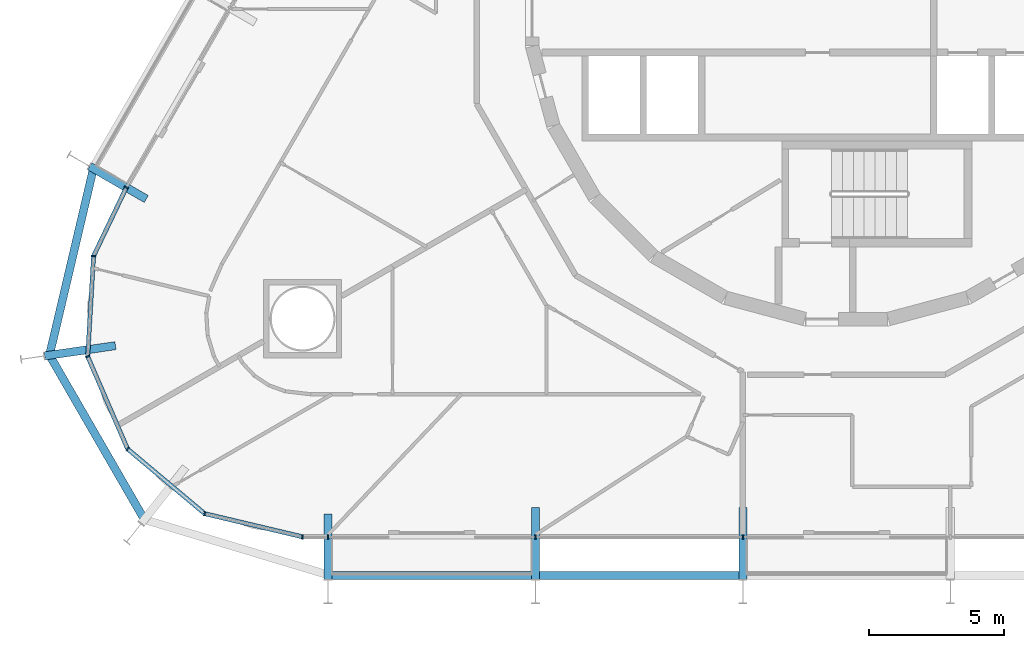
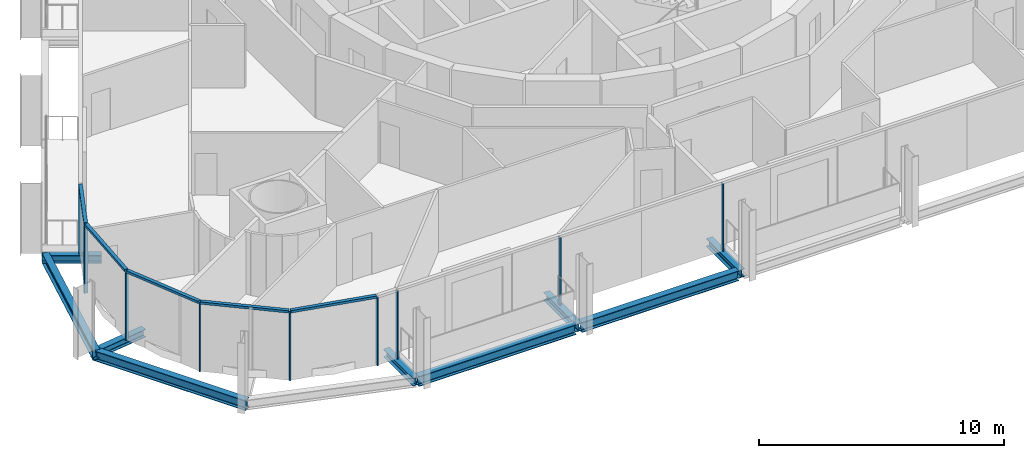
# One storey, part 3 of 21: 14 members, 9 beams, 2 elements without a shape of their own.
"""IFC4 building model written with IfcOpenShell, lengths in metres."""

from ifc_helpers import new_model, si_unit, direction, frame, origin, origin_2d, place, context, subcontext, project, spatial, rectangle, i_section, extrude, material, layer, layer_set, material_profile, profile_set, type_object, element, aggregate, save


model = new_model("IFC4")

# Units and contexts
model_context = context("Model", 3, precision=1e-05, world=origin(), true_north=direction((0.0, 1.0)))
body_context = subcontext(model_context, "Body", "Model", "MODEL_VIEW")
ifc_project = project(units=[si_unit("LENGTHUNIT", "METRE"), si_unit("AREAUNIT", "SQUARE_METRE"), si_unit("VOLUMEUNIT", "CUBIC_METRE"), si_unit("PLANEANGLEUNIT", "RADIAN"), si_unit("MASSUNIT", "GRAM", prefix="KILO")], contexts=[model_context])

# Site, building, storey
site_placement = place(None, origin())
site = spatial("IfcSite", under=ifc_project, at=site_placement, CompositionType="ELEMENT")
building_placement = place(site_placement, origin())
building = spatial("IfcBuilding", under=site, at=building_placement, Name="Spindle Arch Residences", CompositionType="ELEMENT")
storey_placement = place(building_placement, frame((0.0, 0.0, 48.89990234375)))
storey = spatial("IfcBuildingStorey", under=building, at=storey_placement, Name="L10", CompositionType="ELEMENT", Elevation=48.89990234375)

# Curtain wall, members
ifc_material_1 = material(Name="Aluminium bronze unitised frame with tinted glass", Category="aluminium")
ifc_layer_1 = layer(ifc_material_1, 0.159912109375)
ifc_layer_set_1 = layer_set([ifc_layer_1], Name="CW-D corner wall on the fillet arcs")
curtain_wall_type_1 = type_object("IfcCurtainWallType", Name="CW-D corner wall on the fillet arcs", PredefinedType="NOTDEFINED", material=ifc_layer_set_1)
curtain_wall_1_placement = place(storey_placement, origin())
curtain_wall_1 = element("IfcCurtainWall", 1, at=curtain_wall_1_placement, inside=storey, type_object=curtain_wall_type_1, Name="CW-D L10 run 5", PredefinedType="NOTDEFINED")
ifc_material_2 = material(Name="Aluminium bronze anodised mullion", Category="aluminium")
ifc_material_profile_1 = material_profile(ifc_material_2, rectangle(XDim=0.159912109375, YDim=0.06005859375, at=origin_2d()), Name="MU 60x160")
ifc_profile_set_1 = profile_set([ifc_material_profile_1], Name="Aluminium bronze anodised mullion")
member_type_1 = type_object("IfcMemberType", Name="Bronze mullion 60x160", PredefinedType="MULLION", material=ifc_profile_set_1)
member_1_placement = place(storey_placement, frame((-26.66943359375, -6.77294921875, -0.3798828125), z_axis=(0.0, 0.0, 1.0), x_axis=(0.902111889092, -0.431502189519, 0.0)))
member_1 = element("IfcMember", 2, at=member_1_placement, type_object=member_type_1, Name="CW-D mullion 00", PredefinedType="MULLION", context=body_context, shape_type="SweptSolid", body=[
    extrude(rectangle(XDim=0.159912109375, YDim=0.06005859375, at=origin_2d()), origin(), (0.0, 0.0, 1.0), 3.3798828125),
])
member_2_placement = place(storey_placement, frame((-27.884033203125, -9.3125, -0.3798828125), z_axis=(0.0, 0.0, 1.0), x_axis=(0.99830815821, -0.058144829968, 0.0)))
member_2 = element("IfcMember", 3, at=member_2_placement, type_object=member_type_1, Name="CW-D mullion 01", PredefinedType="MULLION", context=body_context, shape_type="SweptSolid", body=[
    extrude(rectangle(XDim=0.159912109375, YDim=0.06005859375, at=origin_2d()), origin(), (0.0, 0.0, 1.0), 3.3798828125),
])
member_3_placement = place(storey_placement, frame((-28.100830078125, -13.032958984375, -0.3798828125), z_axis=(0.0, 0.0, 1.0), x_axis=(0.918216106599, 0.396079766691, 0.0)))
member_3 = element("IfcMember", 4, at=member_3_placement, type_object=member_type_1, Name="CW-D mullion 02", PredefinedType="MULLION", context=body_context, shape_type="SweptSolid", body=[
    extrude(rectangle(XDim=0.159912109375, YDim=0.06005859375, at=origin_2d()), origin(), (0.0, 0.0, 1.0), 3.3798828125),
])
member_4_placement = place(storey_placement, frame((-26.624755859375, -16.454833984375, -0.3798828125), z_axis=(0.0, 0.0, 1.0), x_axis=(0.64278760716, 0.766044445239, 0.0)))
member_4 = element("IfcMember", 5, at=member_4_placement, type_object=member_type_1, Name="CW-D mullion 03", PredefinedType="MULLION", context=body_context, shape_type="SweptSolid", body=[
    extrude(rectangle(XDim=0.159912109375, YDim=0.06005859375, at=origin_2d()), origin(), (0.0, 0.0, 1.0), 3.3798828125),
])
member_5_placement = place(storey_placement, frame((-23.769775390625, -18.850341796875, -0.3798828125), z_axis=(0.0, 0.0, 1.0), x_axis=(0.230615868852, 0.973044871028, 0.0)))
member_5 = element("IfcMember", 6, at=member_5_placement, type_object=member_type_1, Name="CW-D mullion 04", PredefinedType="MULLION", context=body_context, shape_type="SweptSolid", body=[
    extrude(rectangle(XDim=0.159912109375, YDim=0.06005859375, at=origin_2d()), origin(), (0.0, 0.0, 1.0), 3.3798828125),
])
member_6_placement = place(storey_placement, frame((-20.1435546875, -19.7099609375, -0.3798828125), z_axis=(0.0, 0.0, 1.0), x_axis=(0.0, 1.0, 0.0)))
member_6 = element("IfcMember", 7, at=member_6_placement, type_object=member_type_1, Name="CW-D mullion 05", PredefinedType="MULLION", context=body_context, shape_type="SweptSolid", body=[
    extrude(rectangle(XDim=0.159912109375, YDim=0.06005859375, at=origin_2d()), origin(), (0.0, 0.0, 1.0), 3.3798828125),
])

ifc_material_3 = material(Name="Aluminium bronze unitised frame with tinted glass", Category="aluminium")
ifc_layer_2 = layer(ifc_material_3, 0.159912109375)
ifc_layer_set_2 = layer_set([ifc_layer_2], Name="CW-C typical residential unitised wall")
curtain_wall_type_2 = type_object("IfcCurtainWallType", Name="CW-C typical residential unitised wall", PredefinedType="NOTDEFINED", material=ifc_layer_set_2)
curtain_wall_2_placement = place(storey_placement, origin())
curtain_wall_2 = element("IfcCurtainWall", 8, at=curtain_wall_2_placement, inside=storey, type_object=curtain_wall_type_2, Name="CW-C L10 run 6", PredefinedType="NOTDEFINED")
member_7_placement = place(storey_placement, frame((-19.2001953125, -19.7099609375, -0.3798828125), z_axis=(0.0, 0.0, 1.0), x_axis=(0.0, 1.0, 0.0)))
member_7 = element("IfcMember", 9, at=member_7_placement, type_object=member_type_1, Name="CW-C mullion 21", PredefinedType="MULLION", context=body_context, shape_type="SweptSolid", body=[
    extrude(rectangle(XDim=0.159912109375, YDim=0.06005859375, at=origin_2d()), origin(), (0.0, 0.0, 1.0), 3.3798828125),
])
member_8_placement = place(storey_placement, frame((-11.52001953125, -19.7099609375, -0.3798828125), z_axis=(0.0, 0.0, 1.0), x_axis=(0.0, 1.0, 0.0)))
member_8 = element("IfcMember", 10, at=member_8_placement, type_object=member_type_1, Name="CW-C mullion 22", PredefinedType="MULLION", context=body_context, shape_type="SweptSolid", body=[
    extrude(rectangle(XDim=0.159912109375, YDim=0.06005859375, at=origin_2d()), origin(), (0.0, 0.0, 1.0), 3.3798828125),
])
member_9_placement = place(storey_placement, frame((-3.840087890625, -19.7099609375, -0.3798828125), z_axis=(0.0, 0.0, 1.0), x_axis=(0.0, 1.0, 0.0)))
member_9 = element("IfcMember", 11, at=member_9_placement, type_object=member_type_1, Name="CW-C mullion 23", PredefinedType="MULLION", context=body_context, shape_type="SweptSolid", body=[
    extrude(rectangle(XDim=0.159912109375, YDim=0.06005859375, at=origin_2d()), origin(), (0.0, 0.0, 1.0), 3.3798828125),
])
aggregate(curtain_wall_2, [member_7, member_8, member_9])

# Member
ifc_material_4 = material(Name="Aluminium bronze anodised transom", Category="aluminium")
ifc_material_profile_2 = material_profile(ifc_material_4, rectangle(XDim=0.159912109375, YDim=0.1201171875, at=origin_2d()), Name="TR 120x160")
ifc_profile_set_2 = profile_set([ifc_material_profile_2], Name="Aluminium bronze anodised transom")
member_type_2 = type_object("IfcMemberType", Name="Bronze transom 120x160", PredefinedType="USERDEFINED", material=ifc_profile_set_2)
member_10_placement = place(storey_placement, frame((-26.682373046875, -6.800048828125, 3.06005859375), z_axis=(-0.43147744699, -0.902123723631, 0.0), x_axis=(0.902123723631, -0.43147744699, 0.0)))
member_10 = element("IfcMember", 12, at=member_10_placement, type_object=member_type_2, Name="CW-D transom 00", ObjectType="TRANSOM", PredefinedType="USERDEFINED", context=body_context, shape_type="SweptSolid", body=[
    extrude(rectangle(XDim=0.159912109375, YDim=0.1201171875, at=origin_2d()), origin(), (0.0, 0.0, 1.0), 2.7548828125),
])

member_11_placement = place(storey_placement, frame((-27.885986328125, -9.342529296875, 3.06005859375), z_axis=(-0.058128716156, -0.998309096602, 0.0), x_axis=(0.998309096602, -0.058128716156, 0.0)))
member_11 = element("IfcMember", 13, at=member_11_placement, type_object=member_type_2, Name="CW-D transom 01", ObjectType="TRANSOM", PredefinedType="USERDEFINED", context=body_context, shape_type="SweptSolid", body=[
    extrude(rectangle(XDim=0.159912109375, YDim=0.1201171875, at=origin_2d()), origin(), (0.0, 0.0, 1.0), 3.66650390625),
])

member_12_placement = place(storey_placement, frame((-28.0888671875, -13.060546875, 3.06005859375), z_axis=(0.39603167212, -0.918236851078, 0.0), x_axis=(0.918236851078, 0.39603167212, 0.0)))
member_12 = element("IfcMember", 14, at=member_12_placement, type_object=member_type_2, Name="CW-D transom 02", ObjectType="TRANSOM", PredefinedType="USERDEFINED", context=body_context, shape_type="SweptSolid", body=[
    extrude(rectangle(XDim=0.159912109375, YDim=0.1201171875, at=origin_2d()), origin(), (0.0, 0.0, 1.0), 3.666748046875),
])

member_13_placement = place(storey_placement, frame((-26.601806640625, -16.47412109375, 3.06005859375), z_axis=(0.766006453075, -0.642832881741, 0.0), x_axis=(0.642832881741, 0.766006453075, 0.0)))
member_13 = element("IfcMember", 15, at=member_13_placement, type_object=member_type_2, Name="CW-D transom 03", ObjectType="TRANSOM", PredefinedType="USERDEFINED", context=body_context, shape_type="SweptSolid", body=[
    extrude(rectangle(XDim=0.159912109375, YDim=0.1201171875, at=origin_2d()), origin(), (0.0, 0.0, 1.0), 3.666748046875),
])

member_14_placement = place(storey_placement, frame((-23.74072265625, -18.857421875, 3.06005859375), z_axis=(0.973053560164, -0.230579203425, 0.0), x_axis=(0.230579203425, 0.973053560164, 0.0)))
member_14 = element("IfcMember", 16, at=member_14_placement, type_object=member_type_2, Name="CW-D transom 04", ObjectType="TRANSOM", PredefinedType="USERDEFINED", context=body_context, shape_type="SweptSolid", body=[
    extrude(rectangle(XDim=0.159912109375, YDim=0.1201171875, at=origin_2d()), origin(), (0.0, 0.0, 1.0), 3.666748046875),
])

aggregate(curtain_wall_1, [member_1, member_10, member_2, member_11, member_3, member_12, member_4, member_13, member_5, member_14, member_6])

# Beams
ifc_material_5 = material(Name="Steel S460ML, intumescent coating R 120", Category="steel")
ifc_material_profile_3 = material_profile(ifc_material_5, i_section(OverallWidth=0.300048828125, OverallDepth=0.5, WebThickness=0.014404296875, FlangeThickness=0.028076171875, FilletRadius=0.027099609375, at=origin_2d()), Name="HEB 500")
ifc_profile_set_3 = profile_set([ifc_material_profile_3], Name="Steel S460ML, intumescent coating R 120")
beam_type_1 = type_object("IfcBeamType", Name="Exoskeleton edge beam HEB 500", PredefinedType="BEAM", material=ifc_profile_set_3)
beam_1_placement = place(storey_placement, frame((-27.8720703125, -6.00048828125, -0.6298828125), z_axis=(-0.229185730541, -0.973382710406, 0.0), x_axis=(0.973382710406, -0.229185730541, 0.0)))
element("IfcBeam", 17, at=beam_1_placement, inside=storey, type_object=beam_type_1, Name="Exoskeleton edge beam 19", PredefinedType="BEAM", context=body_context, shape_type="SweptSolid", body=[
    extrude(i_section(OverallWidth=0.300048828125, OverallDepth=0.5, WebThickness=0.014404296875, FlangeThickness=0.028076171875, FilletRadius=0.027099609375, at=origin_2d()), origin(), (0.0, 0.0, 1.0), 7.25),
])
beam_2_placement = place(storey_placement, frame((-29.56640625, -12.892333984375, -0.6298828125), z_axis=(0.499999897272, -0.866025463095, 0.0), x_axis=(0.866025463095, 0.499999897272, 0.0)))
element("IfcBeam", 18, at=beam_2_placement, inside=storey, type_object=beam_type_1, Name="Exoskeleton edge beam 20", PredefinedType="BEAM", context=body_context, shape_type="SweptSolid", body=[
    extrude(i_section(OverallWidth=0.300048828125, OverallDepth=0.5, WebThickness=0.014404296875, FlangeThickness=0.028076171875, FilletRadius=0.027099609375, at=origin_2d()), origin(), (0.0, 0.0, 1.0), 7.236328125),
])
for number, where, z_axis, x_axis, name in (
    (19, (-19.0703125, -21.142822265625, -0.6298828125), (1.0, 0.0, 0.0), (0.0, 1.0, 0.0), "Exoskeleton edge beam 22"),
    (20, (-11.39013671875, -21.142822265625, -0.6298828125), (1.0, 0.0, 0.0), (0.0, 1.0, 0.0), "Exoskeleton edge beam 23"),
):
    element("IfcBeam", number, at=place(storey_placement, frame(where, z_axis=z_axis, x_axis=x_axis)), inside=storey, type_object=beam_type_1, Name=name, PredefinedType="BEAM", context=body_context, shape_type="SweptSolid", body=[
        extrude(i_section(OverallWidth=0.300048828125, OverallDepth=0.5, WebThickness=0.014404296875, FlangeThickness=0.028076171875, FilletRadius=0.027099609375, at=origin_2d()), origin(), (0.0, 0.0, 1.0), 7.420166015625),
    ])
ifc_material_6 = material(Name="Steel S460ML, intumescent coating R 120", Category="steel")
ifc_material_profile_4 = material_profile(ifc_material_6, i_section(OverallWidth=0.300048828125, OverallDepth=0.389892578125, WebThickness=0.010986328125, FlangeThickness=0.01904296875, FilletRadius=0.027099609375, at=origin_2d()), Name="HEA 400")
ifc_profile_set_4 = profile_set([ifc_material_profile_4], Name="Steel S460ML, intumescent coating R 120")
beam_type_2 = type_object("IfcBeamType", Name="Floor outrigger HEA 400", PredefinedType="BEAM", material=ifc_profile_set_4)
beam_3_placement = place(storey_placement, frame((-28.029052734375, -5.98779296875, -0.574951171875), z_axis=(0.866002732682, -0.500039265445, 0.0), x_axis=(0.500039265445, 0.866002732682, 0.0)))
element("IfcBeam", 21, at=beam_3_placement, inside=storey, type_object=beam_type_2, Name="Floor outrigger 19", PredefinedType="BEAM", context=body_context, shape_type="SweptSolid", body=[
    extrude(i_section(OverallWidth=0.300048828125, OverallDepth=0.389892578125, WebThickness=0.010986328125, FlangeThickness=0.01904296875, FilletRadius=0.027099609375, at=origin_2d()), origin(), (0.0, 0.0, 1.0), 2.423583984375),
])
beam_4_placement = place(storey_placement, frame((-29.694580078125, -13.009033203125, -0.574951171875), z_axis=(0.989738348309, 0.142891573883, 0.0), x_axis=(-0.142891573883, 0.989738348309, 0.0)))
element("IfcBeam", 22, at=beam_4_placement, inside=storey, type_object=beam_type_2, Name="Floor outrigger 20", PredefinedType="BEAM", context=body_context, shape_type="SweptSolid", body=[
    extrude(i_section(OverallWidth=0.300048828125, OverallDepth=0.389892578125, WebThickness=0.010986328125, FlangeThickness=0.01904296875, FilletRadius=0.027099609375, at=origin_2d()), origin(), (0.0, 0.0, 1.0), 2.64990234375),
])
beam_5_placement = place(storey_placement, frame((-19.2001953125, -21.27978515625, -0.574951171875), z_axis=(0.0, 1.0, 0.0), x_axis=(-1.0, 0.0, 0.0)))
element("IfcBeam", 23, at=beam_5_placement, inside=storey, type_object=beam_type_2, Name="Floor outrigger 22", PredefinedType="BEAM", context=body_context, shape_type="SweptSolid", body=[
    extrude(i_section(OverallWidth=0.300048828125, OverallDepth=0.389892578125, WebThickness=0.010986328125, FlangeThickness=0.01904296875, FilletRadius=0.027099609375, at=origin_2d()), origin(), (0.0, 0.0, 1.0), 2.42333984375),
])
for number, where, z_axis, x_axis, name in (
    (24, (-11.52001953125, -21.27978515625, -0.574951171875), (0.0, 1.0, 0.0), (-1.0, 0.0, 0.0), "Floor outrigger 23"),
    (25, (-3.840087890625, -21.27978515625, -0.574951171875), (0.0, 1.0, 0.0), (-1.0, 0.0, 0.0), "Floor outrigger 24"),
):
    element("IfcBeam", number, at=place(storey_placement, frame(where, z_axis=z_axis, x_axis=x_axis)), inside=storey, type_object=beam_type_2, Name=name, PredefinedType="BEAM", context=body_context, shape_type="SweptSolid", body=[
        extrude(i_section(OverallWidth=0.300048828125, OverallDepth=0.389892578125, WebThickness=0.010986328125, FlangeThickness=0.01904296875, FilletRadius=0.027099609375, at=origin_2d()), origin(), (0.0, 0.0, 1.0), 2.64990234375),
    ])

save(model, "model.ifc")
